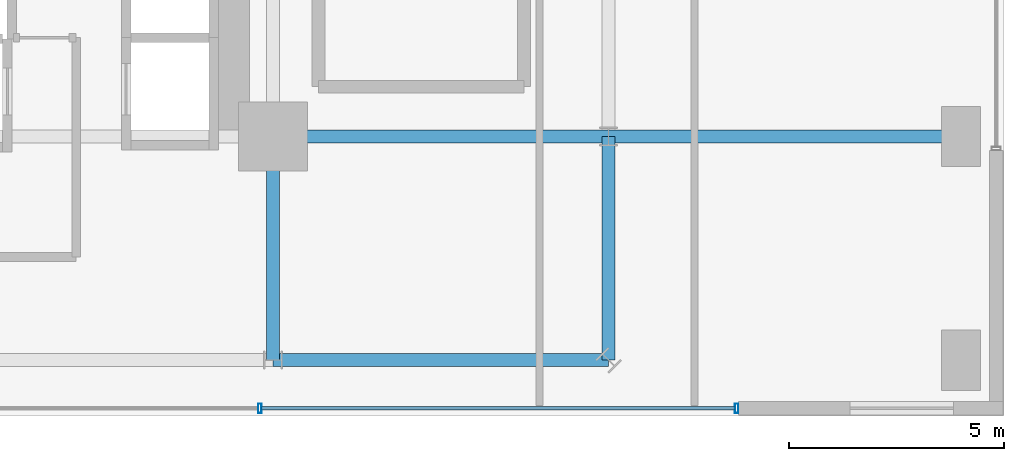
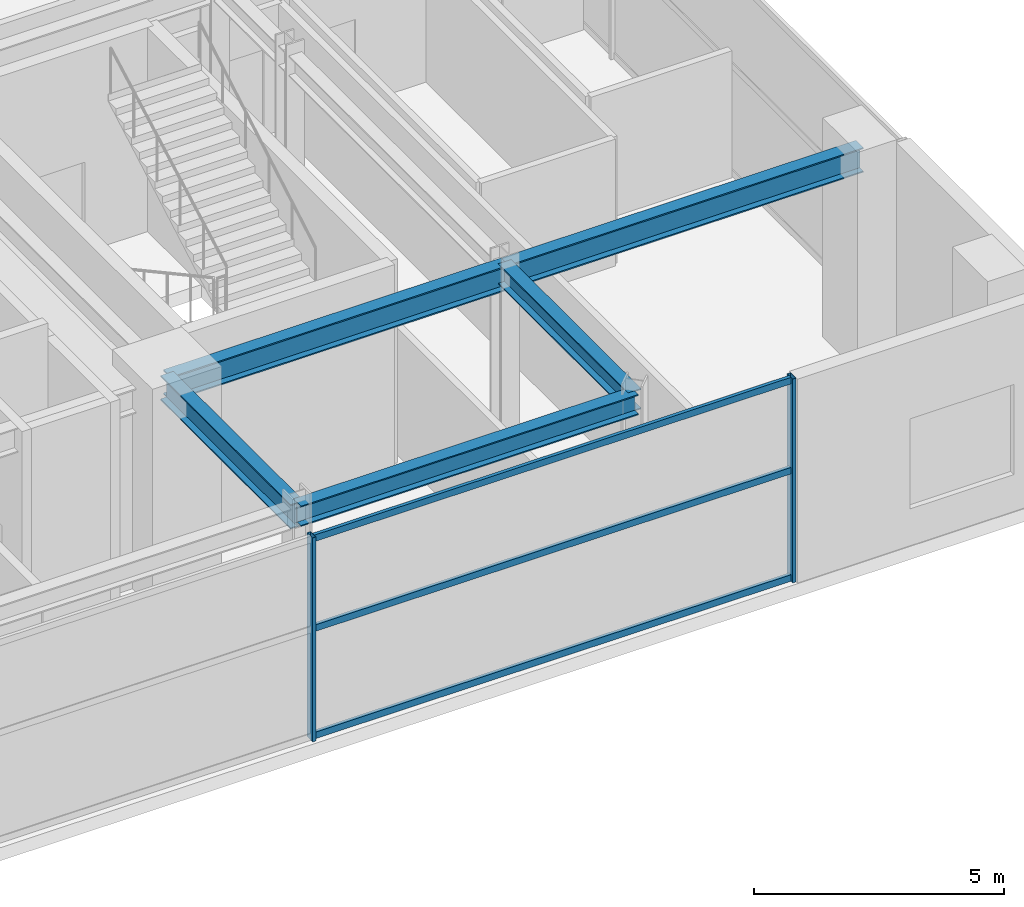
# One storey, part 14 of 35: 5 beams, 5 members, 1 element without a shape of its own.
"""IFC4 building model written with IfcOpenShell, lengths in metres."""

from ifc_helpers import new_model, si_unit, direction, frame, origin, origin_2d, place, context, subcontext, project, spatial, hollow_rectangle, i_section, extrude, source, transform, mapped, material, material_profile, profile_set, type_object, element, aggregate, save


model = new_model("IFC4")

# Units and contexts
model_context = context("Model", 3, precision=1e-05, world=origin(), true_north=direction((0.0, 1.0)))
body_context = subcontext(model_context, "Body", "Model", "MODEL_VIEW")
ifc_project = project(units=[si_unit("LENGTHUNIT", "METRE"), si_unit("AREAUNIT", "SQUARE_METRE"), si_unit("VOLUMEUNIT", "CUBIC_METRE"), si_unit("PLANEANGLEUNIT", "RADIAN"), si_unit("MASSUNIT", "GRAM", prefix="KILO")], contexts=[model_context])

# Site, building, storey
site_placement = place(None, origin())
site = spatial("IfcSite", under=ifc_project, at=site_placement, CompositionType="ELEMENT")
building_placement = place(site_placement, origin())
building = spatial("IfcBuilding", under=site, at=building_placement, Name="Nahalor Promenade Grand Hotel", CompositionType="ELEMENT")
storey_placement = place(building_placement, frame((0.0, 0.0, 21.60009765625)))
storey = spatial("IfcBuildingStorey", under=building, at=storey_placement, Name="L04", CompositionType="ELEMENT", Elevation=21.60009765625)

# Beams
ifc_material_1 = material(Name="Steel S355JR", Category="steel")
ifc_material_profile_1 = material_profile(ifc_material_1, i_section(OverallWidth=0.3, OverallDepth=0.6, WebThickness=0.0155, FlangeThickness=0.03, at=origin_2d()), Name="HEB 600")
ifc_profile_set_1 = profile_set([ifc_material_profile_1], Name="Steel S355JR")
beam_type_1 = type_object("IfcBeamType", Name="Beam-Girder-HEB600", PredefinedType="BEAM", material=ifc_profile_set_1)
shared_shape_1 = source(origin(), body_context, "Body", "SweptSolid", [
    extrude(i_section(OverallWidth=0.3, OverallDepth=0.6, WebThickness=0.0155, FlangeThickness=0.03, at=origin_2d()), origin(), (0.0, 0.0, 1.0), 8.199951171875),
])
beam_1_placement = place(storey_placement, frame((24.800048828125, -17.0, 4.679931640625), z_axis=(1.0, 0.0, 0.0), x_axis=(0.0, 1.0, 0.0)))
element("IfcBeam", 1, at=beam_1_placement, inside=storey, type_object=beam_type_1, Name="BM-L04-GX-0-8", PredefinedType="BEAM", context=body_context, shape_type="MappedRepresentation", body=[
    mapped(shared_shape_1, transform((0.0, 0.0, 0.0), scale=1.0)),
])
shared_shape_2 = source(origin(), body_context, "Body", "SweptSolid", [
    extrude(i_section(OverallWidth=0.3, OverallDepth=0.6, WebThickness=0.0155, FlangeThickness=0.03, at=origin_2d()), origin(), (0.0, 0.0, 1.0), 7.800048828125),
])
beam_2_placement = place(storey_placement, frame((17.0, -17.0, 4.679931640625), z_axis=(1.0, 0.0, 0.0), x_axis=(0.0, 1.0, 0.0)))
element("IfcBeam", 2, at=beam_2_placement, inside=storey, type_object=beam_type_1, Name="BM-L04-GX-0-7", PredefinedType="BEAM", context=body_context, shape_type="MappedRepresentation", body=[
    mapped(shared_shape_2, transform((0.0, 0.0, 0.0), scale=1.0)),
])
shared_shape_3 = source(origin(), body_context, "Body", "SweptSolid", [
    extrude(i_section(OverallWidth=0.3, OverallDepth=0.6, WebThickness=0.0155, FlangeThickness=0.03, at=origin_2d()), origin(), (0.0, 0.0, 1.0), 5.199951171875),
])
beam_3_placement = place(storey_placement, frame((17.0, -22.199951171875, 4.679931640625), z_axis=(0.0, 1.0, 0.0), x_axis=(-1.0, 0.0, 0.0)))
element("IfcBeam", 3, at=beam_3_placement, inside=storey, type_object=beam_type_1, Name="BM-L04-GY-5-0", PredefinedType="BEAM", context=body_context, shape_type="MappedRepresentation", body=[
    mapped(shared_shape_3, transform((0.0, 0.0, 0.0), scale=1.0)),
])
ifc_material_profile_2 = material_profile(ifc_material_1, i_section(OverallWidth=0.3, OverallDepth=0.5, WebThickness=0.0145, FlangeThickness=0.028, at=origin_2d()), Name="HEB 500")
ifc_profile_set_2 = profile_set([ifc_material_profile_2], Name="Steel S355JR")
beam_type_2 = type_object("IfcBeamType", Name="Beam-Spandrel-HEB500", PredefinedType="SPANDREL", material=ifc_profile_set_2)
shared_shape_4 = source(origin(), body_context, "Body", "SweptSolid", [
    extrude(i_section(OverallWidth=0.3, OverallDepth=0.5, WebThickness=0.0145, FlangeThickness=0.028, at=origin_2d()), origin(), (0.0, 0.0, 1.0), 7.800048828125),
])
beam_4_placement = place(storey_placement, frame((17.0, -22.199951171875, 4.72998046875), z_axis=(1.0, 0.0, 0.0), x_axis=(0.0, 1.0, 0.0)))
element("IfcBeam", 4, at=beam_4_placement, inside=storey, type_object=beam_type_2, Name="BM-L04-SPC-SE-1", PredefinedType="SPANDREL", context=body_context, shape_type="MappedRepresentation", body=[
    mapped(shared_shape_4, transform((0.0, 0.0, 0.0), scale=1.0)),
])
shared_shape_5 = source(origin(), body_context, "Body", "SweptSolid", [
    extrude(i_section(OverallWidth=0.3, OverallDepth=0.5, WebThickness=0.0145, FlangeThickness=0.028, at=origin_2d()), origin(), (0.0, 0.0, 1.0), 5.199951171875),
])
beam_5_placement = place(storey_placement, frame((24.800048828125, -22.199951171875, 4.72998046875), z_axis=(0.0, 1.0, 0.0), x_axis=(-1.0, 0.0, 0.0)))
element("IfcBeam", 5, at=beam_5_placement, inside=storey, type_object=beam_type_2, Name="BM-L04-SPC-SE-2", PredefinedType="SPANDREL", context=body_context, shape_type="MappedRepresentation", body=[
    mapped(shared_shape_5, transform((0.0, 0.0, 0.0), scale=1.0)),
])

# Curtain wall, members
ifc_material_2 = material(Name="Anodised Bronze Aluminium EN AW-6063 T6", Category="aluminium")
curtain_wall_type = type_object("IfcCurtainWallType", Name="CW1 Waterfront Podium Bronze Arcade Curtain Wall", PredefinedType="USERDEFINED", material=ifc_material_2)
curtain_wall_placement = place(storey_placement, origin())
curtain_wall = element("IfcCurtainWall", 6, at=curtain_wall_placement, inside=storey, type_object=curtain_wall_type, Name="L04 Curtain Wall CW-L04-S", ObjectType="UNITISED_CURTAIN_WALL", PredefinedType="USERDEFINED")
ifc_material_profile_3 = material_profile(ifc_material_2, hollow_rectangle(XDim=0.08, YDim=0.22, WallThickness=0.005, at=origin_2d()), Name="CWM 80x220x5")
ifc_profile_set_3 = profile_set([ifc_material_profile_3], Name="Anodised Bronze Aluminium EN AW-6063 T6")
member_type_1 = type_object("IfcMemberType", Name="CWM1 Podium Bronze Mullion 80x220", PredefinedType="MULLION", material=ifc_profile_set_3)
shared_shape_6 = source(origin(), body_context, "Body", "SweptSolid", [
    extrude(hollow_rectangle(XDim=0.08, YDim=0.22, WallThickness=0.005, at=origin_2d()), origin(), (0.0, 0.0, 1.0), 4.97998046875),
])
member_1_placement = place(storey_placement, frame((16.69189453125, -23.320068359375, 0.0), z_axis=(0.0, 0.0, 1.0), x_axis=(1.0, 0.0, 0.0)))
member_1 = element("IfcMember", 7, at=member_1_placement, type_object=member_type_1, Name="CW-L04-S Mullion 4", PredefinedType="MULLION", context=body_context, shape_type="MappedRepresentation", body=[
    mapped(shared_shape_6, transform((0.0, 0.0, 0.0), scale=1.0)),
])
member_2_placement = place(storey_placement, frame((27.780029296875, -23.320068359375, 0.0), z_axis=(0.0, 0.0, 1.0), x_axis=(1.0, 0.0, 0.0)))
member_2 = element("IfcMember", 8, at=member_2_placement, type_object=member_type_1, Name="CW-L04-S Mullion 5", PredefinedType="MULLION", context=body_context, shape_type="MappedRepresentation", body=[
    mapped(shared_shape_6, transform((0.0, 0.0, 0.0), scale=1.0)),
])
ifc_material_profile_4 = material_profile(ifc_material_2, hollow_rectangle(XDim=0.08, YDim=0.16, WallThickness=0.004, at=origin_2d()), Name="CWT 80x160x4")
ifc_profile_set_4 = profile_set([ifc_material_profile_4], Name="Anodised Bronze Aluminium EN AW-6063 T6")
member_type_2 = type_object("IfcMemberType", Name="CWT1 Podium Bronze Transom 80x160", PredefinedType="USERDEFINED", material=ifc_profile_set_4)
shared_shape_7 = source(origin(), body_context, "Body", "SweptSolid", [
    extrude(hollow_rectangle(XDim=0.08, YDim=0.16, WallThickness=0.004, at=origin_2d()), origin(), (0.0, 0.0, 1.0), 11.008056640625),
])
member_3_placement = place(storey_placement, frame((16.73193359375, -23.320068359375, 0.079833984375), z_axis=(1.0, 0.0, 0.0), x_axis=(0.0, 1.0, 0.0)))
member_3 = element("IfcMember", 9, at=member_3_placement, type_object=member_type_2, Name="CW-L04-S Transom 4-0", ObjectType="TRANSOM", PredefinedType="USERDEFINED", context=body_context, shape_type="MappedRepresentation", body=[
    mapped(shared_shape_7, transform((0.0, 0.0, 0.0), scale=1.0)),
])
member_4_placement = place(storey_placement, frame((16.73193359375, -23.320068359375, 2.699951171875), z_axis=(1.0, 0.0, 0.0), x_axis=(0.0, 1.0, 0.0)))
member_4 = element("IfcMember", 10, at=member_4_placement, type_object=member_type_2, Name="CW-L04-S Transom 4-1", ObjectType="TRANSOM", PredefinedType="USERDEFINED", context=body_context, shape_type="MappedRepresentation", body=[
    mapped(shared_shape_7, transform((0.0, 0.0, 0.0), scale=1.0)),
])
member_5_placement = place(storey_placement, frame((16.73193359375, -23.320068359375, 4.89990234375), z_axis=(1.0, 0.0, 0.0), x_axis=(0.0, 1.0, 0.0)))
member_5 = element("IfcMember", 11, at=member_5_placement, type_object=member_type_2, Name="CW-L04-S Transom 4-2", ObjectType="TRANSOM", PredefinedType="USERDEFINED", context=body_context, shape_type="MappedRepresentation", body=[
    mapped(shared_shape_7, transform((0.0, 0.0, 0.0), scale=1.0)),
])
aggregate(curtain_wall, [member_1, member_2, member_3, member_4, member_5])

save(model, "model.ifc")
